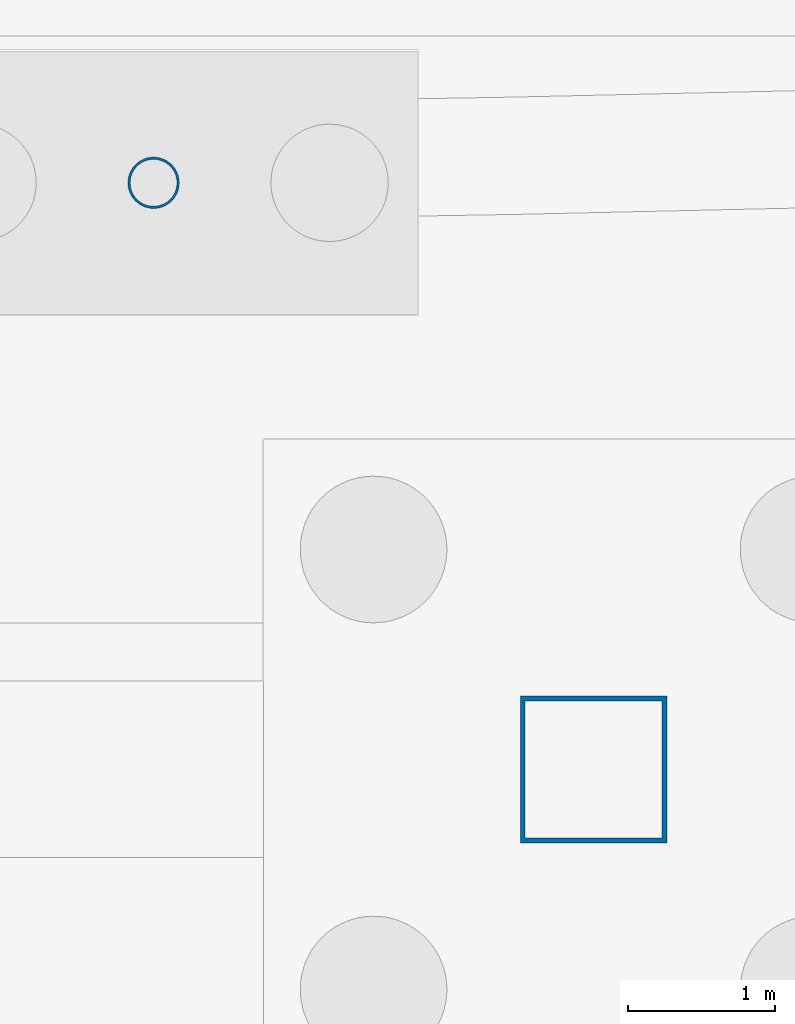
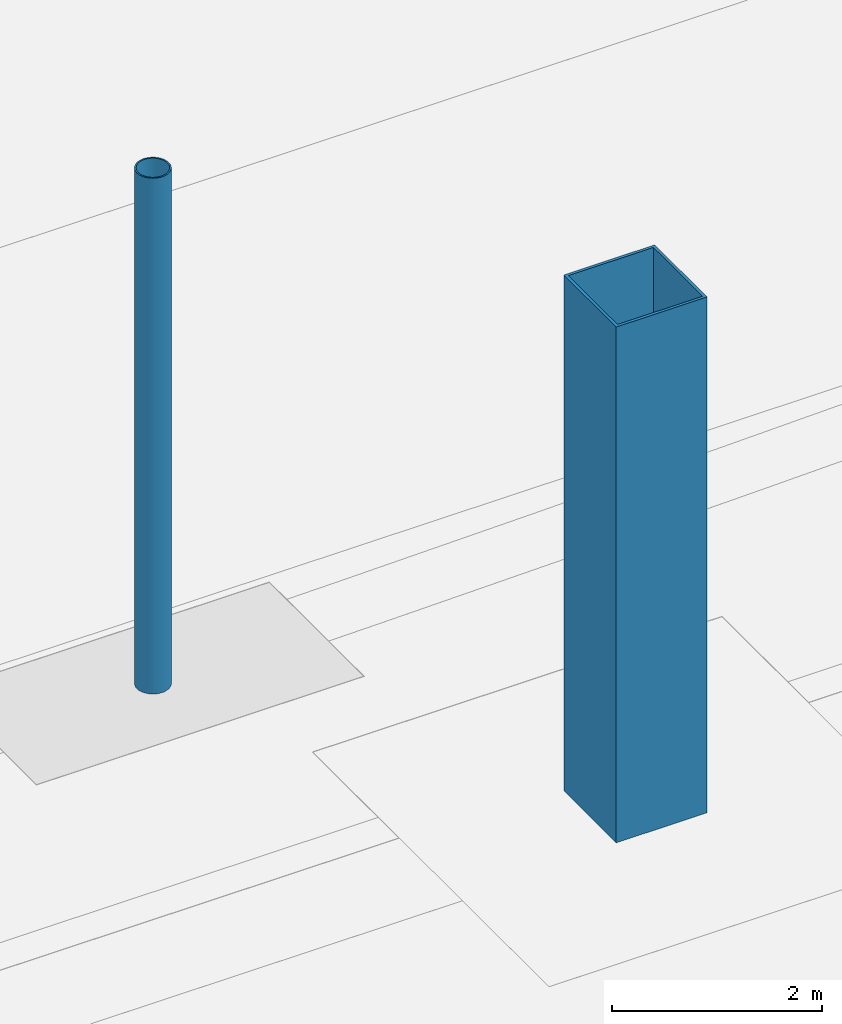
# One storey, part 26 of 198: 2 columns.
"""IFC4 building model written with IfcOpenShell, lengths in metres."""

from ifc_helpers import new_model, si_unit, direction, frame, origin, origin_2d, place, context, subcontext, project, spatial, hollow_rectangle, hollow_circle, extrude, material, material_profile, profile_set, type_object, element, save


model = new_model("IFC4")

# Units and contexts
model_context = context("Model", 3, precision=1e-05, world=origin(), true_north=direction((0.0, 1.0)))
body_context = subcontext(model_context, "Body", "Model", "MODEL_VIEW")
ifc_project = project(units=[si_unit("LENGTHUNIT", "METRE"), si_unit("AREAUNIT", "SQUARE_METRE"), si_unit("VOLUMEUNIT", "CUBIC_METRE"), si_unit("PLANEANGLEUNIT", "RADIAN"), si_unit("MASSUNIT", "GRAM", prefix="KILO")], contexts=[model_context])

# Site, building, storey
site_placement = place(None, origin())
site = spatial("IfcSite", under=ifc_project, at=site_placement, CompositionType="ELEMENT")
building_placement = place(site_placement, origin())
building = spatial("IfcBuilding", under=site, at=building_placement, Name="Opaline Strait Convention Centre", CompositionType="ELEMENT")
storey_placement = place(building_placement, origin())
storey = spatial("IfcBuildingStorey", under=building, at=storey_placement, Name="L00", CompositionType="ELEMENT", Elevation=0.0)

# Columns
ifc_material = material(Name="Steel Q355B", Category="steel")
ifc_material_profile_1 = material_profile(ifc_material, hollow_circle(Radius=0.175537109375, WallThickness=0.01611328125, at=origin_2d()), Name="CHS 351x16")
ifc_profile_set_1 = profile_set([ifc_material_profile_1], Name="Steel Q355B")
column_type_1 = type_object("IfcColumnType", Name="Arcade column CHS 351x16", PredefinedType="COLUMN", material=ifc_profile_set_1)
column_1_placement = place(storey_placement, frame((186.0, 157.0, 0.0), z_axis=(0.0, 0.0, 1.0), x_axis=(1.0, 0.0, 0.0)))
element("IfcColumn", 1, at=column_1_placement, inside=storey, type_object=column_type_1, Name="Arcade walk column SC-WE1", ObjectType="SCC1", PredefinedType="COLUMN", context=body_context, shape_type="SweptSolid", body=[
    extrude(hollow_circle(Radius=0.175537109375, WallThickness=0.01611328125, at=origin_2d()), origin(), (0.0, 0.0, 1.0), 6.0),
])
ifc_material_profile_2 = material_profile(ifc_material, hollow_rectangle(XDim=1.0, YDim=1.0, WallThickness=0.031982421875, at=origin_2d()), Name="BOX 1000x1000x32")
ifc_profile_set_2 = profile_set([ifc_material_profile_2], Name="Steel Q355B")
column_type_2 = type_object("IfcColumnType", Name="CFT column BOX 1000x1000x32 C60 fill", PredefinedType="COLUMN", material=ifc_profile_set_2)
column_2_placement = place(storey_placement, frame((189.0, 153.0, 0.0), z_axis=(0.0, 0.0, 1.0), x_axis=(1.0, 0.0, 0.0)))
element("IfcColumn", 2, at=column_2_placement, inside=storey, type_object=column_type_2, Name="Roof column XC-17", ObjectType="XC1", PredefinedType="COLUMN", context=body_context, shape_type="SweptSolid", body=[
    extrude(hollow_rectangle(XDim=1.0, YDim=1.0, WallThickness=0.031982421875, at=origin_2d()), origin(), (0.0, 0.0, 1.0), 6.0),
])

save(model, "model.ifc")
